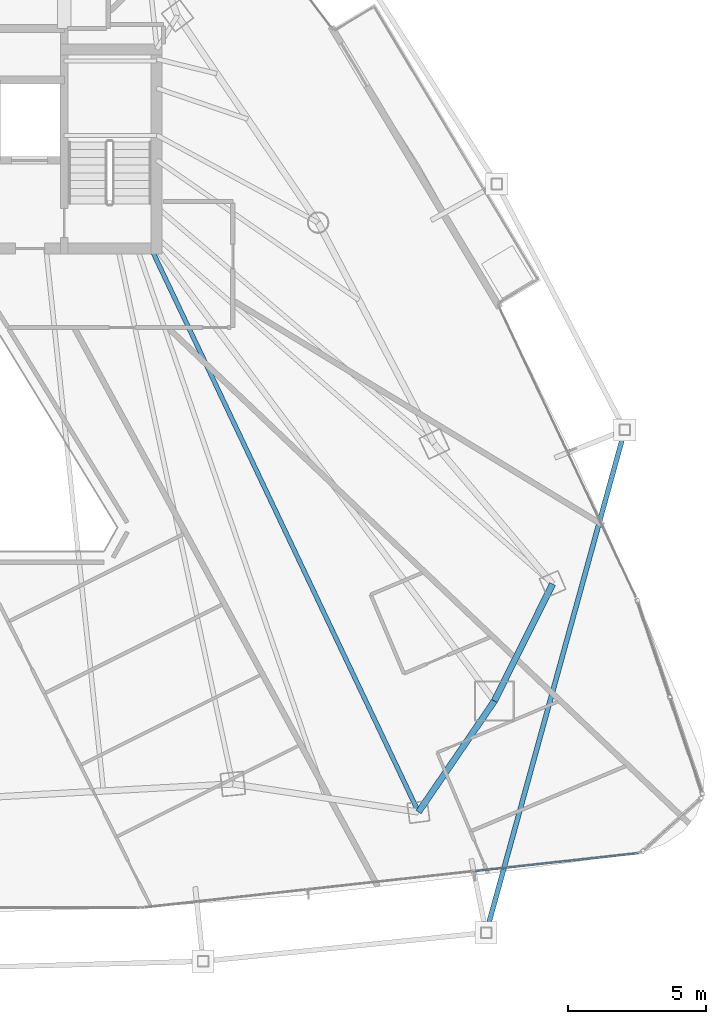
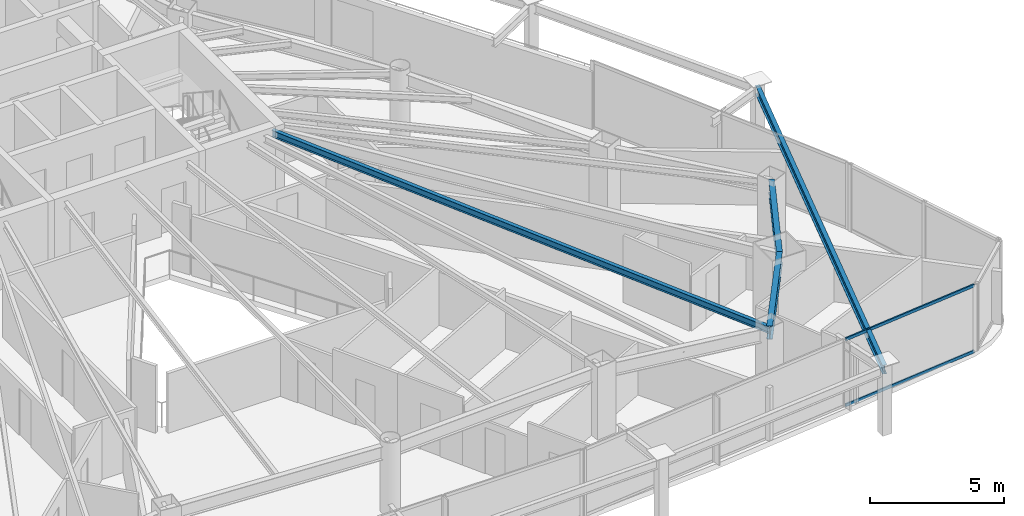
# One storey, part 12 of 31: 4 beams, 2 members, 1 element without a shape of its own.
"""IFC4 building model written with IfcOpenShell, lengths in metres."""

from ifc_helpers import new_model, si_unit, direction, frame, origin, origin_2d, place, context, subcontext, project, spatial, hollow_rectangle, i_section, extrude, material, layer, layer_set, material_profile, profile_set, type_object, element, aggregate, save


model = new_model("IFC4")

# Units and contexts
model_context = context("Model", 3, precision=1e-05, world=origin(), true_north=direction((0.0, 1.0)))
body_context = subcontext(model_context, "Body", "Model", "MODEL_VIEW")
ifc_project = project(units=[si_unit("LENGTHUNIT", "METRE"), si_unit("AREAUNIT", "SQUARE_METRE"), si_unit("VOLUMEUNIT", "CUBIC_METRE"), si_unit("PLANEANGLEUNIT", "RADIAN"), si_unit("MASSUNIT", "GRAM", prefix="KILO")], contexts=[model_context])

# Site, building, storey
site_placement = place(None, origin())
site = spatial("IfcSite", under=ifc_project, at=site_placement, CompositionType="ELEMENT")
building_placement = place(site_placement, origin())
building = spatial("IfcBuilding", under=site, at=building_placement, Name="Orvanel Arch Residences", CompositionType="ELEMENT")
storey_placement = place(building_placement, frame((0.0, 0.0, 113.300048828125)))
storey = spatial("IfcBuildingStorey", under=building, at=storey_placement, Name="L31", CompositionType="ELEMENT", Elevation=113.300048828125)

# Beams
ifc_material_1 = material(Name="Structural steel AS/NZS 3679.1 Grade 300 (300 MPa)", Category="steel")
ifc_material_profile_1 = material_profile(ifc_material_1, i_section(OverallWidth=0.1650390625, OverallDepth=0.303955078125, WebThickness=0.006103515625, FlangeThickness=0.01025390625, at=origin_2d()), Name="310UB40.4")
ifc_profile_set_1 = profile_set([ifc_material_profile_1], Name="Structural steel AS/NZS 3679.1 Grade 300 (300 MPa)")
beam_type_1 = type_object("IfcBeamType", Name="BJ-310UB", PredefinedType="JOIST", material=ifc_profile_set_1)
beam_1_placement = place(storey_placement, frame((39.39990234375, 26.699951171875, 2.907958984375), z_axis=(0.428614365266, -0.903487534993, 0.0), x_axis=(0.903487534993, 0.428614365266, 0.0)))
element("IfcBeam", 1, at=beam_1_placement, inside=storey, type_object=beam_type_1, Name="L31 MSE Wing Floor Joist", PredefinedType="JOIST", context=body_context, shape_type="SweptSolid", body=[
    extrude(i_section(OverallWidth=0.1650390625, OverallDepth=0.303955078125, WebThickness=0.006103515625, FlangeThickness=0.01025390625, at=origin_2d()), origin(), (0.0, 0.0, 1.0), 22.535888671875),
])
ifc_material_profile_2 = material_profile(ifc_material_1, i_section(OverallWidth=0.177978515625, OverallDepth=0.406005859375, WebThickness=0.0078125, FlangeThickness=0.0126953125, at=origin_2d()), Name="410UB59.7")
ifc_profile_set_2 = profile_set([ifc_material_profile_2], Name="Structural steel AS/NZS 3679.1 Grade 300 (300 MPa)")
beam_type_2 = type_object("IfcBeamType", Name="OB-410UB-EXT", PredefinedType="SPANDREL", material=ifc_profile_set_2)
beam_2_placement = place(storey_placement, frame((51.5048828125, 1.98095703125, 2.85693359375), z_axis=(0.265789930022, 0.964030971027, 0.0), x_axis=(-0.964030971027, 0.265789930022, 0.0)))
element("IfcBeam", 2, at=beam_2_placement, inside=storey, type_object=beam_type_2, Name="L31 Outer Perimeter Floor Ring Beam 08", PredefinedType="SPANDREL", context=body_context, shape_type="SweptSolid", body=[
    extrude(i_section(OverallWidth=0.177978515625, OverallDepth=0.406005859375, WebThickness=0.0078125, FlangeThickness=0.0126953125, at=origin_2d()), origin(), (0.0, 0.0, 1.0), 18.845947265625),
])
ifc_material_profile_3 = material_profile(ifc_material_1, i_section(OverallWidth=0.22900390625, OverallDepth=0.612060546875, WebThickness=0.011962890625, FlangeThickness=0.01953125, at=origin_2d()), Name="610UB125")
ifc_profile_set_3 = profile_set([ifc_material_profile_3], Name="Structural steel AS/NZS 3679.1 Grade 300 (300 MPa)")
beam_type_3 = type_object("IfcBeamType", Name="SP-610UB", PredefinedType="SPANDREL", material=ifc_profile_set_3)
beam_3_placement = place(storey_placement, frame((49.05908203125, 6.339111328125, 2.75390625), z_axis=(0.564251579852, 0.825602903722, 0.0), x_axis=(-0.825602903722, 0.564251579852, 0.0)))
element("IfcBeam", 3, at=beam_3_placement, inside=storey, type_object=beam_type_3, Name="L31 Perimeter Spandrel Beam 08", PredefinedType="SPANDREL", context=body_context, shape_type="SweptSolid", body=[
    extrude(i_section(OverallWidth=0.22900390625, OverallDepth=0.612060546875, WebThickness=0.011962890625, FlangeThickness=0.01953125, at=origin_2d()), origin(), (0.0, 0.0, 1.0), 4.859375),
])
beam_4_placement = place(storey_placement, frame((51.801025390625, 10.35107421875, 2.75390625), z_axis=(0.44543469453, 0.895314432425, 0.0), x_axis=(-0.895314432425, 0.44543469453, 0.0)))
element("IfcBeam", 4, at=beam_4_placement, inside=storey, type_object=beam_type_3, Name="L31 Perimeter Spandrel Beam 09", PredefinedType="SPANDREL", context=body_context, shape_type="SweptSolid", body=[
    extrude(i_section(OverallWidth=0.22900390625, OverallDepth=0.612060546875, WebThickness=0.011962890625, FlangeThickness=0.01953125, at=origin_2d()), origin(), (0.0, 0.0, 1.0), 4.723388671875),
])

# Curtain wall, members
ifc_material_2 = material(Name="Bronze-anodised aluminium AA6063-T6", Category="aluminium")
ifc_layer = layer(ifc_material_2, 0.179931640625)
ifc_layer_set = layer_set([ifc_layer], Name="Bronze-anodised aluminium AA6063-T6")
curtain_wall_type = type_object("IfcCurtainWallType", Name="CW3-MID-SYS", PredefinedType="NOTDEFINED", material=ifc_layer_set)
curtain_wall_placement = place(storey_placement, origin())
curtain_wall = element("IfcCurtainWall", 5, at=curtain_wall_placement, inside=storey, type_object=curtain_wall_type, Name="L31 CW3-MID-SYS Unitised Curtain Wall", PredefinedType="NOTDEFINED")
ifc_material_profile_4 = material_profile(ifc_material_2, hollow_rectangle(XDim=0.06005859375, YDim=0.135009765625, WallThickness=0.00390625, at=origin_2d()), Name="ALU135x60x4")
ifc_profile_set_4 = profile_set([ifc_material_profile_4], Name="Bronze-anodised aluminium AA6063-T6")
member_type = type_object("IfcMemberType", Name="TRN-135x60", PredefinedType="USERDEFINED", material=ifc_profile_set_4)
member_1_placement = place(storey_placement, frame((51.098388671875, 4.204833984375, 0.030029296875), z_axis=(0.994026709515, 0.109137073311, 0.0), x_axis=(-0.109137073311, 0.994026709515, 0.0)))
member_1 = element("IfcMember", 6, at=member_1_placement, type_object=member_type, Name="CW-S3 transom 3.1", ObjectType="TRANSOM", PredefinedType="USERDEFINED", context=body_context, shape_type="SweptSolid", body=[
    extrude(hollow_rectangle(XDim=0.06005859375, YDim=0.135009765625, WallThickness=0.00390625, at=origin_2d()), origin(), (0.0, 0.0, 1.0), 5.94140625),
])
member_2_placement = place(storey_placement, frame((51.098388671875, 4.204833984375, 3.030029296875), z_axis=(0.994026709515, 0.109137073311, 0.0), x_axis=(-0.109137073311, 0.994026709515, 0.0)))
member_2 = element("IfcMember", 7, at=member_2_placement, type_object=member_type, Name="CW-S3 transom 3.2", ObjectType="TRANSOM", PredefinedType="USERDEFINED", context=body_context, shape_type="SweptSolid", body=[
    extrude(hollow_rectangle(XDim=0.06005859375, YDim=0.135009765625, WallThickness=0.00390625, at=origin_2d()), origin(), (0.0, 0.0, 1.0), 5.94140625),
])
aggregate(curtain_wall, [member_1, member_2])

save(model, "model.ifc")
